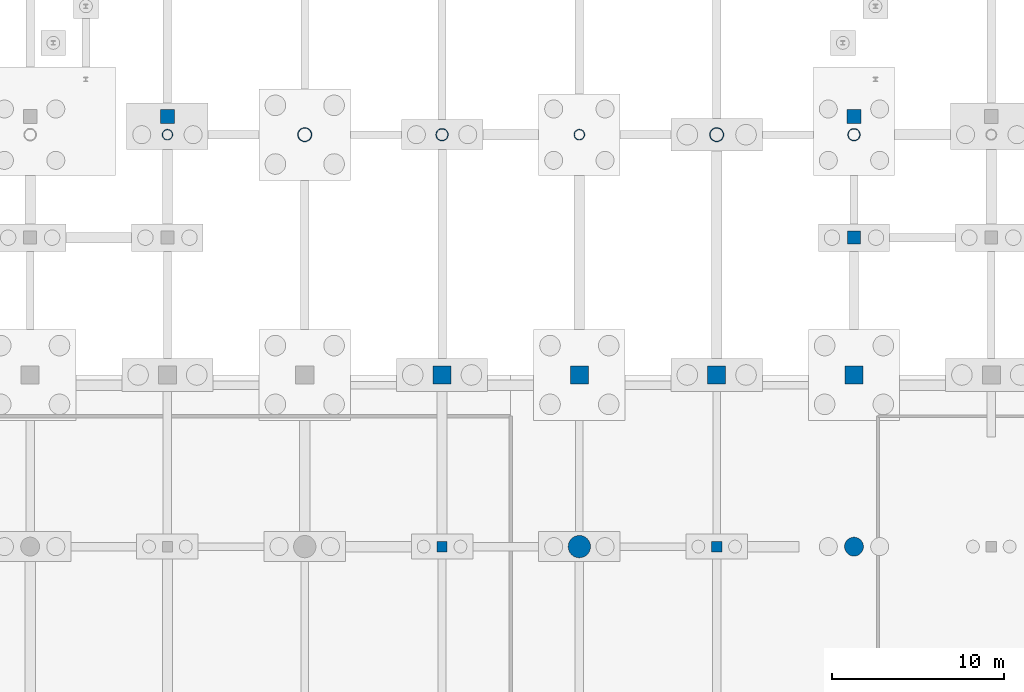
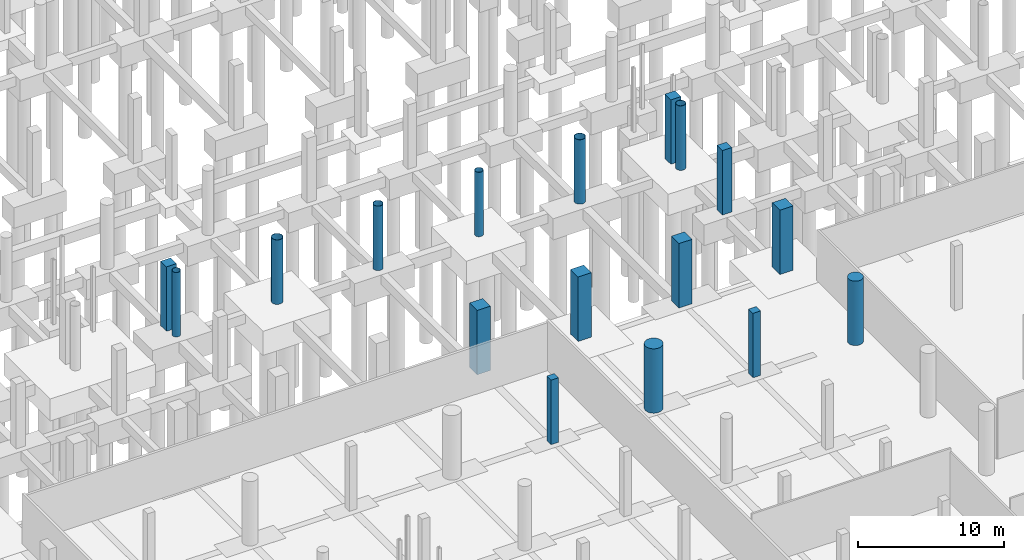
# One storey, part 31 of 65: 17 columns.
"""IFC4 building model written with IfcOpenShell, lengths in metres."""

from ifc_helpers import new_model, si_unit, direction, frame, origin, origin_2d, place, context, subcontext, project, spatial, rectangle, circle, hollow_circle, extrude, material, material_profile, profile_set, type_object, element, save


model = new_model("IFC4")

# Units and contexts
model_context = context("Model", 3, precision=1e-05, world=origin(), true_north=direction((0.0, 1.0)))
body_context = subcontext(model_context, "Body", "Model", "MODEL_VIEW")
ifc_project = project(units=[si_unit("LENGTHUNIT", "METRE"), si_unit("AREAUNIT", "SQUARE_METRE"), si_unit("VOLUMEUNIT", "CUBIC_METRE"), si_unit("PLANEANGLEUNIT", "RADIAN"), si_unit("MASSUNIT", "GRAM", prefix="KILO")], contexts=[model_context])

# Site, building, storey
site_placement = place(None, origin())
site = spatial("IfcSite", under=ifc_project, at=site_placement, CompositionType="ELEMENT")
building_placement = place(site_placement, origin())
building = spatial("IfcBuilding", under=site, at=building_placement, Name="Khorjan Park Terminus", CompositionType="ELEMENT")
storey_placement = place(building_placement, frame((0.0, 0.0, -5.4)))
storey = spatial("IfcBuildingStorey", under=building, at=storey_placement, Name="B1", CompositionType="ELEMENT", Elevation=-5.4)

# Columns
ifc_material_1 = material(Name="Concrete C50/60", Category="concrete")
ifc_material_profile_1 = material_profile(ifc_material_1, rectangle(XDim=1.05, YDim=1.05, at=origin_2d()), Name="RC 1050x1050")
ifc_profile_set_1 = profile_set([ifc_material_profile_1], Name="Concrete C50/60")
column_type_1 = type_object("IfcColumnType", Name="COL-RC1050", PredefinedType="COLUMN", material=ifc_profile_set_1)
for number, where, z_axis, x_axis, name in (
    (1, (88.0, 88.0, 0.0), (0.0, 0.0, 1.0), (1.0, 0.0, 0.0), "Structural column C-RC105 (B1 #356)"),
    (2, (96.0, 88.0, 0.0), (0.0, 0.0, 1.0), (1.0, 0.0, 0.0), "Structural column C-RC105 (B1 #377)"),
    (3, (104.0, 88.0, 0.0), (0.0, 0.0, 1.0), (1.0, 0.0, 0.0), "Structural column C-RC105 (B1 #393)"),
    (4, (112.0, 88.0, 0.0), (0.0, 0.0, 1.0), (1.0, 0.0, 0.0), "Structural column C-RC105 (B1 #421)"),
):
    element("IfcColumn", number, at=place(storey_placement, frame(where, z_axis=z_axis, x_axis=x_axis)), inside=storey, type_object=column_type_1, Name=name, PredefinedType="COLUMN", context=body_context, shape_type="SweptSolid", body=[
        extrude(rectangle(XDim=1.05, YDim=1.05, at=origin_2d()), origin(), (0.0, 0.0, 1.0), 5.4),
    ])
ifc_material_2 = material(Name="Concrete C40/50", Category="concrete")
ifc_material_profile_2 = material_profile(ifc_material_2, rectangle(XDim=0.6, YDim=0.6, at=origin_2d()), Name="RC 600x600")
ifc_profile_set_2 = profile_set([ifc_material_profile_2], Name="Concrete C40/50")
column_type_2 = type_object("IfcColumnType", Name="COL-RC600", PredefinedType="COLUMN", material=ifc_profile_set_2)
for number, where, z_axis, x_axis, name in (
    (5, (88.0, 78.0, 0.0), (0.0, 0.0, 1.0), (1.0, 0.0, 0.0), "Structural column C-RC06 (B1 #355)"),
    (6, (104.0, 78.0, 0.0), (0.0, 0.0, 1.0), (1.0, 0.0, 0.0), "Structural column C-RC06 (B1 #392)"),
):
    element("IfcColumn", number, at=place(storey_placement, frame(where, z_axis=z_axis, x_axis=x_axis)), inside=storey, type_object=column_type_2, Name=name, PredefinedType="COLUMN", context=body_context, shape_type="SweptSolid", body=[
        extrude(rectangle(XDim=0.6, YDim=0.6, at=origin_2d()), origin(), (0.0, 0.0, 1.0), 5.4),
    ])
ifc_material_profile_3 = material_profile(ifc_material_2, rectangle(XDim=0.75, YDim=0.75, at=origin_2d()), Name="RC 750x750")
ifc_profile_set_3 = profile_set([ifc_material_profile_3], Name="Concrete C40/50")
column_type_3 = type_object("IfcColumnType", Name="COL-RC750", PredefinedType="COLUMN", material=ifc_profile_set_3)
column_1_placement = place(storey_placement, frame((112.0, 96.0, 0.0), z_axis=(0.0, 0.0, 1.0), x_axis=(1.0, 0.0, 0.0)))
element("IfcColumn", 7, at=column_1_placement, inside=storey, type_object=column_type_3, Name="Structural column C-RC75 (B1 #518)", PredefinedType="COLUMN", context=body_context, shape_type="SweptSolid", body=[
    extrude(rectangle(XDim=0.75, YDim=0.75, at=origin_2d()), origin(), (0.0, 0.0, 1.0), 5.4),
])
ifc_material_profile_4 = material_profile(ifc_material_2, rectangle(XDim=0.8, YDim=0.8, at=origin_2d()), Name="RC 800x800")
ifc_profile_set_4 = profile_set([ifc_material_profile_4], Name="Concrete C40/50")
column_type_4 = type_object("IfcColumnType", Name="COL-RC800", PredefinedType="COLUMN", material=ifc_profile_set_4)
for number, where, z_axis, x_axis, name in (
    (8, (72.0, 103.06, 0.0), (0.0, 0.0, 1.0), (1.0, 0.0, 0.0), "Structural column C-RC08 (B1 #516)"),
    (9, (112.0, 103.06, 0.0), (0.0, 0.0, 1.0), (1.0, 0.0, 0.0), "Structural column C-RC08 (B1 #520)"),
):
    element("IfcColumn", number, at=place(storey_placement, frame(where, z_axis=z_axis, x_axis=x_axis)), inside=storey, type_object=column_type_4, Name=name, PredefinedType="COLUMN", context=body_context, shape_type="SweptSolid", body=[
        extrude(rectangle(XDim=0.8, YDim=0.8, at=origin_2d()), origin(), (0.0, 0.0, 1.0), 5.4),
    ])
ifc_material_profile_5 = material_profile(ifc_material_1, circle(Radius=0.55, at=origin_2d()), Name="RC D1100")
ifc_profile_set_5 = profile_set([ifc_material_profile_5], Name="Concrete C50/60")
column_type_5 = type_object("IfcColumnType", Name="COL-RD1100", PredefinedType="COLUMN", material=ifc_profile_set_5)
column_2_placement = place(storey_placement, frame((112.0, 78.0, 0.0), z_axis=(0.0, 0.0, 1.0), x_axis=(1.0, 0.0, 0.0)))
element("IfcColumn", 10, at=column_2_placement, inside=storey, type_object=column_type_5, Name="Structural column C-RD11 (B1 #418)", PredefinedType="COLUMN", context=body_context, shape_type="SweptSolid", body=[
    extrude(circle(Radius=0.55, at=origin_2d()), origin(), (0.0, 0.0, 1.0), 5.4),
])
ifc_material_profile_6 = material_profile(ifc_material_1, circle(Radius=0.65, at=origin_2d()), Name="RC D1300")
ifc_profile_set_6 = profile_set([ifc_material_profile_6], Name="Concrete C50/60")
column_type_6 = type_object("IfcColumnType", Name="COL-RD1300", PredefinedType="COLUMN", material=ifc_profile_set_6)
column_3_placement = place(storey_placement, frame((96.0, 78.0, 0.0), z_axis=(0.0, 0.0, 1.0), x_axis=(1.0, 0.0, 0.0)))
element("IfcColumn", 11, at=column_3_placement, inside=storey, type_object=column_type_6, Name="Structural column C-RD13 (B1 #374)", PredefinedType="COLUMN", context=body_context, shape_type="SweptSolid", body=[
    extrude(circle(Radius=0.65, at=origin_2d()), origin(), (0.0, 0.0, 1.0), 5.4),
])
ifc_material_3 = material(Name="Steel S355", Category="steel")
ifc_material_profile_7 = material_profile(ifc_material_3, hollow_circle(Radius=0.305, WallThickness=0.02, at=origin_2d()), Name="CHS 610x20")
ifc_profile_set_7 = profile_set([ifc_material_profile_7], Name="Steel S355")
column_type_7 = type_object("IfcColumnType", Name="COL-SH610E", PredefinedType="COLUMN", material=ifc_profile_set_7)
for number, where, z_axis, x_axis, name in (
    (12, (72.0, 102.0, 0.0), (0.0, 0.0, 1.0), (1.0, 0.0, 0.0), "Structural column SC-61 (B1 #101)"),
    (13, (96.0, 102.0, 0.0), (0.0, 0.0, 1.0), (1.0, 0.0, 0.0), "Structural column SC-61 (B1 #136)"),
):
    element("IfcColumn", number, at=place(storey_placement, frame(where, z_axis=z_axis, x_axis=x_axis)), inside=storey, type_object=column_type_7, Name=name, PredefinedType="COLUMN", context=body_context, shape_type="SweptSolid", body=[
        extrude(hollow_circle(Radius=0.305, WallThickness=0.02, at=origin_2d()), origin(), (0.0, 0.0, 1.0), 5.4),
    ])
ifc_material_profile_8 = material_profile(ifc_material_3, hollow_circle(Radius=0.3555, WallThickness=0.025, at=origin_2d()), Name="CHS 711x25")
ifc_profile_set_8 = profile_set([ifc_material_profile_8], Name="Steel S355")
column_type_8 = type_object("IfcColumnType", Name="COL-SH711E", PredefinedType="COLUMN", material=ifc_profile_set_8)
for number, where, z_axis, x_axis, name in (
    (14, (88.0, 102.0, 0.0), (0.0, 0.0, 1.0), (1.0, 0.0, 0.0), "Structural column SC-71 (B1 #124)"),
    (15, (112.0, 102.0, 0.0), (0.0, 0.0, 1.0), (1.0, 0.0, 0.0), "Structural column SC-71 (B1 #162)"),
):
    element("IfcColumn", number, at=place(storey_placement, frame(where, z_axis=z_axis, x_axis=x_axis)), inside=storey, type_object=column_type_8, Name=name, PredefinedType="COLUMN", context=body_context, shape_type="SweptSolid", body=[
        extrude(hollow_circle(Radius=0.3555, WallThickness=0.025, at=origin_2d()), origin(), (0.0, 0.0, 1.0), 5.4),
    ])
ifc_material_profile_9 = material_profile(ifc_material_3, hollow_circle(Radius=0.4065, WallThickness=0.025, at=origin_2d()), Name="CHS 813x25")
ifc_profile_set_9 = profile_set([ifc_material_profile_9], Name="Steel S355")
column_type_9 = type_object("IfcColumnType", Name="COL-SH813E", PredefinedType="COLUMN", material=ifc_profile_set_9)
for number, where, z_axis, x_axis, name in (
    (16, (80.0, 102.0, 0.0), (0.0, 0.0, 1.0), (1.0, 0.0, 0.0), "Structural column SC-81 (B1 #115)"),
    (17, (104.0, 102.0, 0.0), (0.0, 0.0, 1.0), (1.0, 0.0, 0.0), "Structural column SC-81 (B1 #148)"),
):
    element("IfcColumn", number, at=place(storey_placement, frame(where, z_axis=z_axis, x_axis=x_axis)), inside=storey, type_object=column_type_9, Name=name, PredefinedType="COLUMN", context=body_context, shape_type="SweptSolid", body=[
        extrude(hollow_circle(Radius=0.4065, WallThickness=0.025, at=origin_2d()), origin(), (0.0, 0.0, 1.0), 5.4),
    ])

save(model, "model.ifc")
